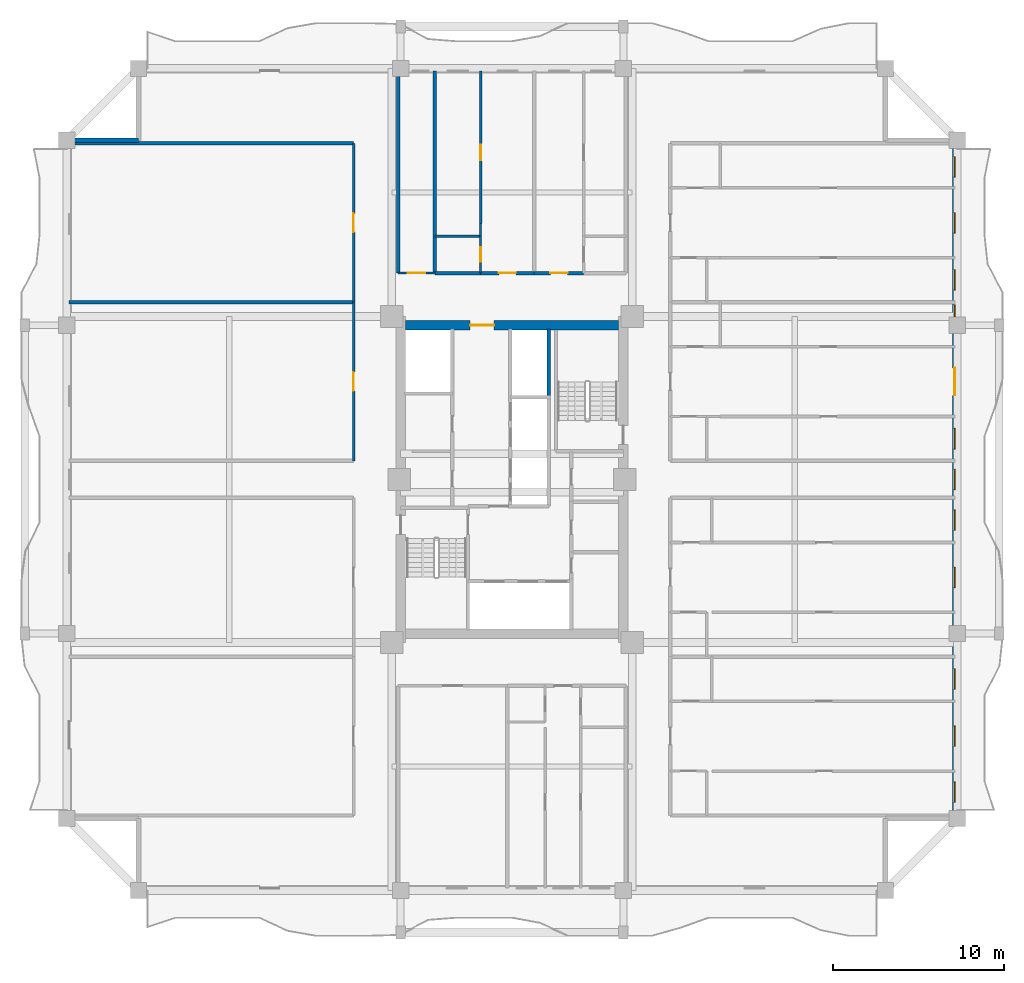
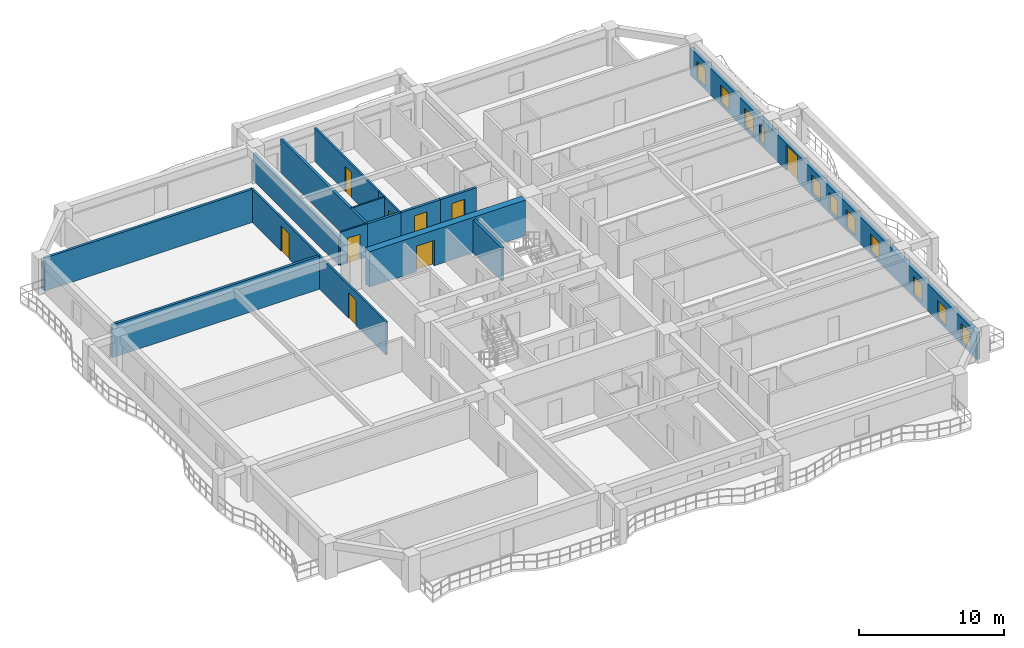
# One storey, part 5 of 12: 18 walls, 11 windows, 9 doors, 20 openings.
"""IFC4 building model written with IfcOpenShell, lengths in metres."""

from ifc_helpers import new_model, si_unit, direction, frame, frame_2d, origin, place, context, subcontext, project, spatial, rectangle, extrude, source, transform, mapped, material, layer, layer_set, type_object, element, fill, save


model = new_model("IFC4")

# Units and contexts
model_context = context("Model", 3, precision=1e-05, world=origin(), true_north=direction((0.0, 1.0)))
body_context = subcontext(model_context, "Body", "Model", "MODEL_VIEW")
ifc_project = project(units=[si_unit("LENGTHUNIT", "METRE"), si_unit("AREAUNIT", "SQUARE_METRE"), si_unit("VOLUMEUNIT", "CUBIC_METRE"), si_unit("PLANEANGLEUNIT", "RADIAN"), si_unit("MASSUNIT", "GRAM", prefix="KILO")], contexts=[model_context])

# Site, building, storey
site_placement = place(None, origin())
site = spatial("IfcSite", under=ifc_project, at=site_placement, CompositionType="ELEMENT")
building_placement = place(site_placement, origin())
building = spatial("IfcBuilding", under=site, at=building_placement, Name="Saelheon Loggia Tower", CompositionType="ELEMENT")
storey_placement = place(building_placement, frame((0.0, 0.0, 101.85009765625)))
storey = spatial("IfcBuildingStorey", under=building, at=storey_placement, Name="L32", CompositionType="ELEMENT", Elevation=101.85009765625)

# Wall, opening, door
ifc_material_1 = material(Name="Concrete C50/60", Category="concrete")
ifc_layer_1 = layer(ifc_material_1, 0.550048828125)
ifc_layer_set_1 = layer_set([ifc_layer_1], Name="Concrete C50/60")
wall_type_1 = type_object("IfcWallType", Name="Wall_CoreShear_550", PredefinedType="SHEAR", material=ifc_layer_set_1)
wall_1_placement = place(storey_placement, frame((31.77490234375, 36.0, 0.0), z_axis=(0.0, 0.0, 1.0), x_axis=(1.0, 0.0, 0.0)))
wall_1 = element("IfcWall", 1, at=wall_1_placement, inside=storey, type_object=wall_type_1, Name="L32 Core Shear Wall North", PredefinedType="SHEAR", context=body_context, shape_type="SweptSolid", body=[
    extrude(rectangle(XDim=12.4501953125, YDim=0.550048828125, at=frame_2d((6.22509765625, 0.0))), origin(), (0.0, 0.0, 1.0), 3.0),
])
opening_1_placement = place(wall_1_placement, frame((5.1748046875, 0.0, 0.0), z_axis=(0.0, 0.0, 1.0), x_axis=(-1.0, 0.0, 0.0)))
opening_1 = element("IfcOpeningElement", 2, at=opening_1_placement, cuts=wall_1, Name="Opening D-FD2L", PredefinedType="OPENING", context=body_context, shape_type="SweptSolid", body=[
    extrude(rectangle(XDim=1.39990234375, YDim=2.14990234375, at=frame_2d((0.699951171875, 1.074951171875))), frame((0.0, 0.287109375, 0.0), z_axis=(0.0, -1.0, 0.0), x_axis=(1.0, 0.0, 0.0)), (0.0, 0.0, 1.0), 0.573974609375),
])
ifc_material_2 = material(Name="Galvanised Steel Glazed Lobby Fire Door", Category="steel")
door_type_1 = type_object("IfcDoorType", Name="Door_Fire_FD60_1400", OperationType="NOTDEFINED", PredefinedType="DOOR", material=ifc_material_2)
shared_shape_1 = source(origin(), body_context, "Body", "SweptSolid", [
    extrude(rectangle(XDim=1.39990234375, YDim=2.14990234375, at=frame_2d((0.699951171875, 1.074951171875))), frame((0.0, 0.02490234375, 0.0), z_axis=(0.0, -1.0, 0.0), x_axis=(1.0, 0.0, 0.0)), (0.0, 0.0, 1.0), 0.050048828125),
])
door_1_placement = place(opening_1_placement, origin())
door_1 = element("IfcDoor", 3, at=door_1_placement, inside=storey, type_object=door_type_1, Name="L32 Passenger Lift Lobby Main Door", OperationType="SINGLE_SWING_RIGHT", OverallHeight=2.14990234375, OverallWidth=1.39990234375, PredefinedType="DOOR", context=body_context, shape_type="MappedRepresentation", body=[
    mapped(shared_shape_1, transform((0.0, 0.0, 0.0), scale=1.0)),
])
fill(opening_1, door_1)

# Wall, openings, windows, door
ifc_material_3 = material(Name="Architectural Precast Concrete C40/50", Category="concrete")
ifc_layer_2 = layer(ifc_material_3, 0.280029296875)
ifc_layer_set_2 = layer_set([ifc_layer_2], Name="Architectural Precast Concrete C40/50")
wall_type_2 = type_object("IfcWallType", Name="Wall_Ext_Loggia_280", PredefinedType="SOLIDWALL", material=ifc_layer_set_2)
wall_2_placement = place(storey_placement, frame((63.860107421875, 7.199951171875, 0.0), z_axis=(0.0, 0.0, 1.0), x_axis=(0.0, 1.0, 0.0)))
wall_2 = element("IfcWall", 4, at=wall_2_placement, inside=storey, type_object=wall_type_2, Name="L32 East Loggia Inner Wall", PredefinedType="SOLIDWALL", context=body_context, shape_type="SweptSolid", body=[
    extrude(rectangle(XDim=39.60009765625, YDim=0.280029296875, at=frame_2d((19.800048828125, 0.0))), origin(), (0.0, 0.0, 1.0), 2.27978515625),
])
opening_2_placement = place(wall_2_placement, frame((0.9453125, 0.0, 0.25)))
opening_2 = element("IfcOpeningElement", 5, at=opening_2_placement, cuts=wall_2, Name="Opening WN-03", PredefinedType="OPENING", context=body_context, shape_type="SweptSolid", body=[
    extrude(rectangle(XDim=1.199951171875, YDim=1.5, at=frame_2d((0.60009765625, 0.75))), frame((0.0, 0.152099609375, 0.0), z_axis=(0.0, -1.0, 0.0), x_axis=(1.0, 0.0, 0.0)), (0.0, 0.0, 1.0), 0.303955078125),
])
opening_3_placement = place(wall_2_placement, frame((4.212890625, 0.0, 0.25)))
opening_3 = element("IfcOpeningElement", 6, at=opening_3_placement, cuts=wall_2, Name="Opening WN-03", PredefinedType="OPENING", context=body_context, shape_type="SweptSolid", body=[
    extrude(rectangle(XDim=1.199951171875, YDim=1.5, at=frame_2d((0.60009765625, 0.75))), frame((0.0, 0.152099609375, 0.0), z_axis=(0.0, -1.0, 0.0), x_axis=(1.0, 0.0, 0.0)), (0.0, 0.0, 1.0), 0.303955078125),
])
opening_4_placement = place(wall_2_placement, frame((7.550048828125, 0.0, 0.25)))
opening_4 = element("IfcOpeningElement", 7, at=opening_4_placement, cuts=wall_2, Name="Opening WN-03", PredefinedType="OPENING", context=body_context, shape_type="SweptSolid", body=[
    extrude(rectangle(XDim=1.199951171875, YDim=1.5, at=frame_2d((0.60009765625, 0.75))), frame((0.0, 0.152099609375, 0.0), z_axis=(0.0, -1.0, 0.0), x_axis=(1.0, 0.0, 0.0)), (0.0, 0.0, 1.0), 0.303955078125),
])
opening_5_placement = place(wall_2_placement, frame((13.48291015625, 0.0, 0.25)))
opening_5 = element("IfcOpeningElement", 8, at=opening_5_placement, cuts=wall_2, Name="Opening WN-03", PredefinedType="OPENING", context=body_context, shape_type="SweptSolid", body=[
    extrude(rectangle(XDim=1.199951171875, YDim=1.5, at=frame_2d((0.60009765625, 0.75))), frame((0.0, 0.152099609375, 0.0), z_axis=(0.0, -1.0, 0.0), x_axis=(1.0, 0.0, 0.0)), (0.0, 0.0, 1.0), 0.303955078125),
])
opening_6_placement = place(wall_2_placement, frame((16.820068359375, 0.0, 0.25)))
opening_6 = element("IfcOpeningElement", 9, at=opening_6_placement, cuts=wall_2, Name="Opening WN-03", PredefinedType="OPENING", context=body_context, shape_type="SweptSolid", body=[
    extrude(rectangle(XDim=1.199951171875, YDim=1.5, at=frame_2d((0.60009765625, 0.75))), frame((0.0, 0.152099609375, 0.0), z_axis=(0.0, -1.0, 0.0), x_axis=(1.0, 0.0, 0.0)), (0.0, 0.0, 1.0), 0.303955078125),
])
opening_7_placement = place(wall_2_placement, frame((19.199951171875, 0.0, 0.25)))
opening_7 = element("IfcOpeningElement", 10, at=opening_7_placement, cuts=wall_2, Name="Opening WN-03", PredefinedType="OPENING", context=body_context, shape_type="SweptSolid", body=[
    extrude(rectangle(XDim=1.199951171875, YDim=1.5, at=frame_2d((0.60009765625, 0.75))), frame((0.0, 0.152099609375, 0.0), z_axis=(0.0, -1.0, 0.0), x_axis=(1.0, 0.0, 0.0)), (0.0, 0.0, 1.0), 0.303955078125),
])
opening_8_placement = place(wall_2_placement, frame((21.577880859375, 0.0, 0.25)))
opening_8 = element("IfcOpeningElement", 11, at=opening_8_placement, cuts=wall_2, Name="Opening WN-03", PredefinedType="OPENING", context=body_context, shape_type="SweptSolid", body=[
    extrude(rectangle(XDim=1.199951171875, YDim=1.5, at=frame_2d((0.60009765625, 0.75))), frame((0.0, 0.152099609375, 0.0), z_axis=(0.0, -1.0, 0.0), x_axis=(1.0, 0.0, 0.0)), (0.0, 0.0, 1.0), 0.303955078125),
])
opening_9_placement = place(wall_2_placement, frame((26.31298828125, 0.0, 0.0), z_axis=(0.0, 0.0, 1.0), x_axis=(-1.0, 0.0, 0.0)))
opening_9 = element("IfcOpeningElement", 12, at=opening_9_placement, cuts=wall_2, Name="Opening DLG-1", PredefinedType="OPENING", context=body_context, shape_type="SweptSolid", body=[
    extrude(rectangle(XDim=1.60009765625, YDim=2.14990234375, at=frame_2d((0.800048828125, 1.074951171875))), frame((0.0, 0.152099609375, 0.0), z_axis=(0.0, -1.0, 0.0), x_axis=(1.0, 0.0, 0.0)), (0.0, 0.0, 1.0), 0.303955078125),
])
opening_10_placement = place(wall_2_placement, frame((29.304931640625, 0.0, 0.25)))
opening_10 = element("IfcOpeningElement", 13, at=opening_10_placement, cuts=wall_2, Name="Opening WN-06", PredefinedType="OPENING", context=body_context, shape_type="SweptSolid", body=[
    extrude(rectangle(XDim=0.699951171875, YDim=1.5, at=frame_2d((0.35009765625, 0.75))), frame((0.0, 0.152099609375, 0.0), z_axis=(0.0, -1.0, 0.0), x_axis=(1.0, 0.0, 0.0)), (0.0, 0.0, 1.0), 0.303955078125),
])
opening_11_placement = place(wall_2_placement, frame((30.847900390625, 0.0, 0.25)))
opening_11 = element("IfcOpeningElement", 14, at=opening_11_placement, cuts=wall_2, Name="Opening WN-03", PredefinedType="OPENING", context=body_context, shape_type="SweptSolid", body=[
    extrude(rectangle(XDim=1.199951171875, YDim=1.5, at=frame_2d((0.60009765625, 0.75))), frame((0.0, 0.152099609375, 0.0), z_axis=(0.0, -1.0, 0.0), x_axis=(1.0, 0.0, 0.0)), (0.0, 0.0, 1.0), 0.303955078125),
])
opening_12_placement = place(wall_2_placement, frame((34.182861328125, 0.0, 0.25)))
opening_12 = element("IfcOpeningElement", 15, at=opening_12_placement, cuts=wall_2, Name="Opening WN-03", PredefinedType="OPENING", context=body_context, shape_type="SweptSolid", body=[
    extrude(rectangle(XDim=1.199951171875, YDim=1.5, at=frame_2d((0.60009765625, 0.75))), frame((0.0, 0.152099609375, 0.0), z_axis=(0.0, -1.0, 0.0), x_axis=(1.0, 0.0, 0.0)), (0.0, 0.0, 1.0), 0.303955078125),
])
opening_13_placement = place(wall_2_placement, frame((37.452392578125, 0.0, 0.25)))
opening_13 = element("IfcOpeningElement", 16, at=opening_13_placement, cuts=wall_2, Name="Opening WN-03", PredefinedType="OPENING", context=body_context, shape_type="SweptSolid", body=[
    extrude(rectangle(XDim=1.199951171875, YDim=1.5, at=frame_2d((0.60009765625, 0.75))), frame((0.0, 0.152099609375, 0.0), z_axis=(0.0, -1.0, 0.0), x_axis=(1.0, 0.0, 0.0)), (0.0, 0.0, 1.0), 0.303955078125),
])
ifc_material_4 = material(Name="Thermal-Break Aluminium and Triple Low-E Glass", Category="aluminium")
window_type_1 = type_object("IfcWindowType", Name="Win_Slot_700x1500", PartitioningType="SINGLE_PANEL", PredefinedType="WINDOW", material=ifc_material_4)
shared_shape_2 = source(origin(), body_context, "Body", "SweptSolid", [
    extrude(rectangle(XDim=0.699951171875, YDim=1.5, at=frame_2d((0.35009765625, 0.75))), frame((0.0, 0.030029296875, 0.0), z_axis=(0.0, -1.0, 0.0), x_axis=(1.0, 0.0, 0.0)), (0.0, 0.0, 1.0), 0.06005859375),
])
window_1_placement = place(opening_10_placement, origin())
window_1 = element("IfcWindow", 17, at=window_1_placement, inside=storey, type_object=window_type_1, Name="L32 E Dwelling Window 9", OverallHeight=1.5, OverallWidth=0.699951171875, PartitioningType="SINGLE_PANEL", PredefinedType="WINDOW", context=body_context, shape_type="MappedRepresentation", body=[
    mapped(shared_shape_2, transform((0.0, 0.0, 0.0), scale=1.0)),
])
fill(opening_10, window_1)
window_type_2 = type_object("IfcWindowType", Name="Win_Bedroom_1200x1500", PartitioningType="SINGLE_PANEL", PredefinedType="WINDOW", material=ifc_material_4)
shared_shape_3 = source(origin(), body_context, "Body", "SweptSolid", [
    extrude(rectangle(XDim=1.199951171875, YDim=1.5, at=frame_2d((0.60009765625, 0.75))), frame((0.0, 0.030029296875, 0.0), z_axis=(0.0, -1.0, 0.0), x_axis=(1.0, 0.0, 0.0)), (0.0, 0.0, 1.0), 0.06005859375),
])
window_2_placement = place(opening_2_placement, origin())
window_2 = element("IfcWindow", 18, at=window_2_placement, inside=storey, type_object=window_type_2, Name="L32 E Dwelling Window 1", OverallHeight=1.5, OverallWidth=1.199951171875, PartitioningType="SINGLE_PANEL", PredefinedType="WINDOW", context=body_context, shape_type="MappedRepresentation", body=[
    mapped(shared_shape_3, transform((0.0, 0.0, 0.0), scale=1.0)),
])
fill(opening_2, window_2)
window_3_placement = place(opening_3_placement, origin())
window_3 = element("IfcWindow", 19, at=window_3_placement, inside=storey, type_object=window_type_2, Name="L32 E Dwelling Window 2", OverallHeight=1.5, OverallWidth=1.199951171875, PartitioningType="SINGLE_PANEL", PredefinedType="WINDOW", context=body_context, shape_type="MappedRepresentation", body=[
    mapped(shared_shape_3, transform((0.0, 0.0, 0.0), scale=1.0)),
])
fill(opening_3, window_3)
window_4_placement = place(opening_4_placement, origin())
window_4 = element("IfcWindow", 20, at=window_4_placement, inside=storey, type_object=window_type_2, Name="L32 E Dwelling Window 3", OverallHeight=1.5, OverallWidth=1.199951171875, PartitioningType="SINGLE_PANEL", PredefinedType="WINDOW", context=body_context, shape_type="MappedRepresentation", body=[
    mapped(shared_shape_3, transform((0.0, 0.0, 0.0), scale=1.0)),
])
fill(opening_4, window_4)
window_5_placement = place(opening_5_placement, origin())
window_5 = element("IfcWindow", 21, at=window_5_placement, inside=storey, type_object=window_type_2, Name="L32 E Dwelling Window 4", OverallHeight=1.5, OverallWidth=1.199951171875, PartitioningType="SINGLE_PANEL", PredefinedType="WINDOW", context=body_context, shape_type="MappedRepresentation", body=[
    mapped(shared_shape_3, transform((0.0, 0.0, 0.0), scale=1.0)),
])
fill(opening_5, window_5)
window_6_placement = place(opening_6_placement, origin())
window_6 = element("IfcWindow", 22, at=window_6_placement, inside=storey, type_object=window_type_2, Name="L32 E Dwelling Window 5", OverallHeight=1.5, OverallWidth=1.199951171875, PartitioningType="SINGLE_PANEL", PredefinedType="WINDOW", context=body_context, shape_type="MappedRepresentation", body=[
    mapped(shared_shape_3, transform((0.0, 0.0, 0.0), scale=1.0)),
])
fill(opening_6, window_6)
window_7_placement = place(opening_7_placement, origin())
window_7 = element("IfcWindow", 23, at=window_7_placement, inside=storey, type_object=window_type_2, Name="L32 E Dwelling Window 6", OverallHeight=1.5, OverallWidth=1.199951171875, PartitioningType="SINGLE_PANEL", PredefinedType="WINDOW", context=body_context, shape_type="MappedRepresentation", body=[
    mapped(shared_shape_3, transform((0.0, 0.0, 0.0), scale=1.0)),
])
fill(opening_7, window_7)
window_8_placement = place(opening_8_placement, origin())
window_8 = element("IfcWindow", 24, at=window_8_placement, inside=storey, type_object=window_type_2, Name="L32 E Dwelling Window 7", OverallHeight=1.5, OverallWidth=1.199951171875, PartitioningType="SINGLE_PANEL", PredefinedType="WINDOW", context=body_context, shape_type="MappedRepresentation", body=[
    mapped(shared_shape_3, transform((0.0, 0.0, 0.0), scale=1.0)),
])
fill(opening_8, window_8)
window_9_placement = place(opening_11_placement, origin())
window_9 = element("IfcWindow", 25, at=window_9_placement, inside=storey, type_object=window_type_2, Name="L32 E Dwelling Window 10", OverallHeight=1.5, OverallWidth=1.199951171875, PartitioningType="SINGLE_PANEL", PredefinedType="WINDOW", context=body_context, shape_type="MappedRepresentation", body=[
    mapped(shared_shape_3, transform((0.0, 0.0, 0.0), scale=1.0)),
])
fill(opening_11, window_9)
window_10_placement = place(opening_12_placement, origin())
window_10 = element("IfcWindow", 26, at=window_10_placement, inside=storey, type_object=window_type_2, Name="L32 E Dwelling Window 11", OverallHeight=1.5, OverallWidth=1.199951171875, PartitioningType="SINGLE_PANEL", PredefinedType="WINDOW", context=body_context, shape_type="MappedRepresentation", body=[
    mapped(shared_shape_3, transform((0.0, 0.0, 0.0), scale=1.0)),
])
fill(opening_12, window_10)
window_11_placement = place(opening_13_placement, origin())
window_11 = element("IfcWindow", 27, at=window_11_placement, inside=storey, type_object=window_type_2, Name="L32 E Dwelling Window 12", OverallHeight=1.5, OverallWidth=1.199951171875, PartitioningType="SINGLE_PANEL", PredefinedType="WINDOW", context=body_context, shape_type="MappedRepresentation", body=[
    mapped(shared_shape_3, transform((0.0, 0.0, 0.0), scale=1.0)),
])
fill(opening_13, window_11)
ifc_material_5 = material(Name="Thermal-Break Aluminium Sliding Glazed Door", Category="aluminium")
door_type_2 = type_object("IfcDoorType", Name="Door_LoggiaSlide_1600", OperationType="SLIDING_TO_LEFT", PredefinedType="DOOR", material=ifc_material_5)
shared_shape_4 = source(origin(), body_context, "Body", "SweptSolid", [
    extrude(rectangle(XDim=1.60009765625, YDim=2.14990234375, at=frame_2d((0.800048828125, 1.074951171875))), frame((0.0, 0.02490234375, 0.0), z_axis=(0.0, -1.0, 0.0), x_axis=(1.0, 0.0, 0.0)), (0.0, 0.0, 1.0), 0.050048828125),
])
door_2_placement = place(opening_9_placement, origin())
door_2 = element("IfcDoor", 28, at=door_2_placement, inside=storey, type_object=door_type_2, Name="L32 E Loggia Access Door", OperationType="SLIDING_TO_LEFT", OverallHeight=2.14990234375, OverallWidth=1.60009765625, PredefinedType="DOOR", context=body_context, shape_type="MappedRepresentation", body=[
    mapped(shared_shape_4, transform((0.0, 0.0, 0.0), scale=1.0)),
])
fill(opening_9, door_2)

# Wall
wall_3_placement = place(storey_placement, frame((12.080078125, 46.800048828125, 0.0), z_axis=(0.0, 0.0, 1.0), x_axis=(1.0, 0.0, 0.0)))
element("IfcWall", 29, at=wall_3_placement, inside=storey, type_object=wall_type_2, Name="L32 Corner Notch Precast Wall NW2", PredefinedType="SOLIDWALL", context=body_context, shape_type="SweptSolid", body=[
    extrude(rectangle(XDim=4.119873046875, YDim=0.280029296875, at=frame_2d((2.06005859375, 0.0))), origin(), (0.0, 0.0, 1.0), 2.27978515625),
])

# Wall, opening, door
ifc_material_6 = material(Name="Lightweight Autoclaved Aerated Concrete Block and Acoustic Gypsum", Category="concrete")
ifc_layer_3 = layer(ifc_material_6, 0.14990234375)
ifc_layer_set_3 = layer_set([ifc_layer_3], Name="Lightweight Autoclaved Aerated Concrete Block and Acoustic Gypsum")
wall_type_3 = type_object("IfcWallType", Name="Wall_Part_150", PredefinedType="PARTITIONING", material=ifc_layer_set_3)
wall_4_placement = place(storey_placement, frame((36.1669921875, 41.949951171875, 0.0), z_axis=(0.0, 0.0, 1.0), x_axis=(0.0, 1.0, 0.0)))
wall_4 = element("IfcWall", 30, at=wall_4_placement, inside=storey, type_object=wall_type_3, Name="L32 N Partition U10", PredefinedType="PARTITIONING", context=body_context, shape_type="SweptSolid", body=[
    extrude(rectangle(XDim=8.900146484375, YDim=0.14990234375, at=frame_2d((4.4501953125, 0.0))), origin(), (0.0, 0.0, 1.0), 2.789794921875),
])
opening_14_placement = place(wall_4_placement, frame((3.686767578125, 0.0, 0.0)))
opening_14 = element("IfcOpeningElement", 31, at=opening_14_placement, cuts=wall_4, Name="Opening D-IN2", PredefinedType="OPENING", context=body_context, shape_type="SweptSolid", body=[
    extrude(rectangle(XDim=0.89990234375, YDim=2.10009765625, at=frame_2d((0.449951171875, 1.050048828125))), frame((0.0, 0.0869140625, 0.0), z_axis=(0.0, -1.0, 0.0), x_axis=(1.0, 0.0, 0.0)), (0.0, 0.0, 1.0), 0.173828125),
])
ifc_material_7 = material(Name="Engineered Oak Flush Door", Category="timber")
door_type_3 = type_object("IfcDoorType", Name="Door_Int_900", OperationType="NOTDEFINED", PredefinedType="DOOR", material=ifc_material_7)
shared_shape_5 = source(origin(), body_context, "Body", "SweptSolid", [
    extrude(rectangle(XDim=0.89990234375, YDim=2.10009765625, at=frame_2d((0.449951171875, 1.050048828125))), frame((0.0, 0.02490234375, 0.0), z_axis=(0.0, -1.0, 0.0), x_axis=(1.0, 0.0, 0.0)), (0.0, 0.0, 1.0), 0.050048828125),
])
door_3_placement = place(opening_14_placement, origin())
door_3 = element("IfcDoor", 32, at=door_3_placement, inside=storey, type_object=door_type_3, Name="Unit U02 Kitchen Door", OperationType="SINGLE_SWING_RIGHT", OverallHeight=2.10009765625, OverallWidth=0.89990234375, PredefinedType="DOOR", context=body_context, shape_type="MappedRepresentation", body=[
    mapped(shared_shape_5, transform((0.0, 0.0, 0.0), scale=1.0)),
])
fill(opening_14, door_3)

wall_5_placement = place(storey_placement, frame((28.75, 28.080078125, 0.0), z_axis=(0.0, 0.0, 1.0), x_axis=(0.0, 1.0, 0.0)))
wall_5 = element("IfcWall", 33, at=wall_5_placement, inside=storey, type_object=wall_type_3, Name="L32 WN Partition V03", PredefinedType="PARTITIONING", context=body_context, shape_type="SweptSolid", body=[
    extrude(rectangle(XDim=9.27001953125, YDim=0.14990234375, at=frame_2d((4.635009765625, 0.0))), origin(), (0.0, 0.0, 1.0), 2.789794921875),
])
opening_15_placement = place(wall_5_placement, frame((4.0849609375, 0.0, 0.0)))
opening_15 = element("IfcOpeningElement", 34, at=opening_15_placement, cuts=wall_5, Name="Opening D-FD2", PredefinedType="OPENING", context=body_context, shape_type="SweptSolid", body=[
    extrude(rectangle(XDim=1.10009765625, YDim=2.14990234375, at=frame_2d((0.550048828125, 1.074951171875))), frame((0.0, 0.0869140625, 0.0), z_axis=(0.0, -1.0, 0.0), x_axis=(1.0, 0.0, 0.0)), (0.0, 0.0, 1.0), 0.173828125),
])
ifc_material_8 = material(Name="Galvanised Steel Fire Door", Category="steel")
door_type_4 = type_object("IfcDoorType", Name="Door_Fire_FD60_1100", OperationType="NOTDEFINED", PredefinedType="DOOR", material=ifc_material_8)
shared_shape_6 = source(origin(), body_context, "Body", "SweptSolid", [
    extrude(rectangle(XDim=1.10009765625, YDim=2.14990234375, at=frame_2d((0.550048828125, 1.074951171875))), frame((0.0, 0.02490234375, 0.0), z_axis=(0.0, -1.0, 0.0), x_axis=(1.0, 0.0, 0.0)), (0.0, 0.0, 1.0), 0.050048828125),
])
door_4_placement = place(opening_15_placement, origin())
door_4 = element("IfcDoor", 35, at=door_4_placement, inside=storey, type_object=door_type_4, Name="L32 Resident Seminar and Study Hall Door A", OperationType="SINGLE_SWING_RIGHT", OverallHeight=2.14990234375, OverallWidth=1.10009765625, PredefinedType="DOOR", context=body_context, shape_type="MappedRepresentation", body=[
    mapped(shared_shape_6, transform((0.0, 0.0, 0.0), scale=1.0)),
])
fill(opening_15, door_4)

wall_6_placement = place(storey_placement, frame((28.75, 37.35009765625, 0.0), z_axis=(0.0, 0.0, 1.0), x_axis=(0.0, 1.0, 0.0)))
wall_6 = element("IfcWall", 36, at=wall_6_placement, inside=storey, type_object=wall_type_3, Name="L32 WN Partition V05", PredefinedType="PARTITIONING", context=body_context, shape_type="SweptSolid", body=[
    extrude(rectangle(XDim=9.27001953125, YDim=0.14990234375, at=frame_2d((4.635009765625, 0.0))), origin(), (0.0, 0.0, 1.0), 2.789794921875),
])
opening_16_placement = place(wall_6_placement, frame((4.0849609375, 0.0, 0.0)))
opening_16 = element("IfcOpeningElement", 37, at=opening_16_placement, cuts=wall_6, Name="Opening D-FD2", PredefinedType="OPENING", context=body_context, shape_type="SweptSolid", body=[
    extrude(rectangle(XDim=1.10009765625, YDim=2.14990234375, at=frame_2d((0.550048828125, 1.074951171875))), frame((0.0, 0.0869140625, 0.0), z_axis=(0.0, -1.0, 0.0), x_axis=(1.0, 0.0, 0.0)), (0.0, 0.0, 1.0), 0.173828125),
])
door_5_placement = place(opening_16_placement, origin())
door_5 = element("IfcDoor", 38, at=door_5_placement, inside=storey, type_object=door_type_4, Name="L32 Resident Seminar and Study Hall Door A", OperationType="SINGLE_SWING_LEFT", OverallHeight=2.14990234375, OverallWidth=1.10009765625, PredefinedType="DOOR", context=body_context, shape_type="MappedRepresentation", body=[
    mapped(shared_shape_6, transform((0.0, 0.0, 0.0), scale=1.0)),
])
fill(opening_16, door_5)

# Walls
ifc_material_9 = material(Name="Double Acoustic Stud and Fireboard Partition", Category="gypsum")
ifc_layer_4 = layer(ifc_material_9, 0.199951171875)
ifc_layer_set_4 = layer_set([ifc_layer_4], Name="Double Acoustic Stud and Fireboard Partition")
wall_type_4 = type_object("IfcWallType", Name="Wall_Party_200", PredefinedType="PARTITIONING", material=ifc_layer_set_4)
wall_7_placement = place(storey_placement, frame((31.35009765625, 39.050048828125, 0.0), z_axis=(0.0, 0.0, 1.0), x_axis=(0.0, 1.0, 0.0)))
element("IfcWall", 39, at=wall_7_placement, inside=storey, type_object=wall_type_4, Name="L32 N Partition U01", PredefinedType="PARTITIONING", context=body_context, shape_type="SweptSolid", body=[
    extrude(rectangle(XDim=11.800048828125, YDim=0.199951171875, at=frame_2d((5.89990234375, 0.0))), origin(), (0.0, 0.0, 1.0), 2.33984375),
])
wall_8_placement = place(storey_placement, frame((33.5, 39.050048828125, 0.0), z_axis=(0.0, 0.0, 1.0), x_axis=(0.0, 1.0, 0.0)))
element("IfcWall", 40, at=wall_8_placement, inside=storey, type_object=wall_type_4, Name="L32 N Partition U03", PredefinedType="PARTITIONING", context=body_context, shape_type="SweptSolid", body=[
    extrude(rectangle(XDim=11.800048828125, YDim=0.199951171875, at=frame_2d((5.89990234375, 0.0))), origin(), (0.0, 0.0, 1.0), 2.789794921875),
])
wall_9_placement = place(storey_placement, frame((33.5, 39.050048828125, 0.0), z_axis=(0.0, 0.0, 1.0), x_axis=(1.0, 0.0, 0.0)))
element("IfcWall", 41, at=wall_9_placement, inside=storey, type_object=wall_type_4, Name="L32 N Partition V05", PredefinedType="PARTITIONING", context=body_context, shape_type="SweptSolid", body=[
    extrude(rectangle(XDim=2.6669921875, YDim=0.199951171875, at=frame_2d((1.33349609375, 0.0))), origin(), (0.0, 0.0, 1.0), 2.789794921875),
])

# Wall, opening, door
wall_10_placement = place(storey_placement, frame((36.1669921875, 39.050048828125, 0.0), z_axis=(0.0, 0.0, 1.0), x_axis=(1.0, 0.0, 0.0)))
wall_10 = element("IfcWall", 42, at=wall_10_placement, inside=storey, type_object=wall_type_4, Name="L32 N Partition V06", PredefinedType="PARTITIONING", context=body_context, shape_type="SweptSolid", body=[
    extrude(rectangle(XDim=3.131103515625, YDim=0.199951171875, at=frame_2d((1.5654296875, 0.0))), origin(), (0.0, 0.0, 1.0), 2.789794921875),
])
opening_17_placement = place(wall_10_placement, frame((1.0654296875, 0.0, 0.0)))
opening_17 = element("IfcOpeningElement", 43, at=opening_17_placement, cuts=wall_10, Name="Opening D-FD1", PredefinedType="OPENING", context=body_context, shape_type="SweptSolid", body=[
    extrude(rectangle(XDim=1.0, YDim=2.14990234375, at=frame_2d((0.5, 1.074951171875))), frame((0.0, 0.112060546875, 0.0), z_axis=(0.0, -1.0, 0.0), x_axis=(1.0, 0.0, 0.0)), (0.0, 0.0, 1.0), 0.223876953125),
])
ifc_material_10 = material(Name="Fire-Rated Engineered Timber Entrance Door", Category="wood")
door_type_5 = type_object("IfcDoorType", Name="Door_Flat_FD30S", OperationType="NOTDEFINED", PredefinedType="DOOR", material=ifc_material_10)
shared_shape_7 = source(origin(), body_context, "Body", "SweptSolid", [
    extrude(rectangle(XDim=1.0, YDim=2.14990234375, at=frame_2d((0.5, 1.074951171875))), frame((0.0, 0.02490234375, 0.0), z_axis=(0.0, -1.0, 0.0), x_axis=(1.0, 0.0, 0.0)), (0.0, 0.0, 1.0), 0.050048828125),
])
door_6_placement = place(opening_17_placement, origin())
door_6 = element("IfcDoor", 44, at=door_6_placement, inside=storey, type_object=door_type_5, Name="Unit U02 Entrance Door", OperationType="SINGLE_SWING_RIGHT", OverallHeight=2.14990234375, OverallWidth=1.0, PredefinedType="DOOR", context=body_context, shape_type="MappedRepresentation", body=[
    mapped(shared_shape_7, transform((0.0, 0.0, 0.0), scale=1.0)),
])
fill(opening_17, door_6)

wall_11_placement = place(storey_placement, frame((39.298095703125, 39.050048828125, 0.0), z_axis=(0.0, 0.0, 1.0), x_axis=(1.0, 0.0, 0.0)))
wall_11 = element("IfcWall", 45, at=wall_11_placement, inside=storey, type_object=wall_type_4, Name="L32 N Partition V12", PredefinedType="PARTITIONING", context=body_context, shape_type="SweptSolid", body=[
    extrude(rectangle(XDim=2.889892578125, YDim=0.199951171875, at=frame_2d((1.44482421875, 0.0))), origin(), (0.0, 0.0, 1.0), 2.789794921875),
])
opening_18_placement = place(wall_11_placement, frame((0.945068359375, 0.0, 0.0)))
opening_18 = element("IfcOpeningElement", 46, at=opening_18_placement, cuts=wall_11, Name="Opening D-FD1", PredefinedType="OPENING", context=body_context, shape_type="SweptSolid", body=[
    extrude(rectangle(XDim=1.0, YDim=2.14990234375, at=frame_2d((0.5, 1.074951171875))), frame((0.0, 0.112060546875, 0.0), z_axis=(0.0, -1.0, 0.0), x_axis=(1.0, 0.0, 0.0)), (0.0, 0.0, 1.0), 0.223876953125),
])
door_7_placement = place(opening_18_placement, origin())
door_7 = element("IfcDoor", 47, at=door_7_placement, inside=storey, type_object=door_type_5, Name="Unit U03 Entrance Door", OperationType="SINGLE_SWING_LEFT", OverallHeight=2.14990234375, OverallWidth=1.0, PredefinedType="DOOR", context=body_context, shape_type="MappedRepresentation", body=[
    mapped(shared_shape_7, transform((0.0, 0.0, 0.0), scale=1.0)),
])
fill(opening_18, door_7)

# Walls
for number, where, z_axis, x_axis, name in (
    (48, (28.75, 46.6201171875, 0.0), (0.0, 0.0, 1.0), (-1.0, 0.0, 0.0), "L32 WN Partition U02"),
    (49, (28.75, 37.35009765625, 0.0), (0.0, 0.0, 1.0), (-1.0, 0.0, 0.0), "L32 WN Partition U04"),
):
    element("IfcWall", number, at=place(storey_placement, frame(where, z_axis=z_axis, x_axis=x_axis)), inside=storey, type_object=wall_type_4, Name=name, PredefinedType="PARTITIONING", context=body_context, shape_type="SweptSolid", body=[
        extrude(rectangle(XDim=16.60009765625, YDim=0.199951171875, at=frame_2d((8.300048828125, 0.0))), origin(), (0.0, 0.0, 1.0), 2.789794921875),
    ])
ifc_material_11 = material(Name="Concrete C40/50", Category="concrete")
ifc_layer_5 = layer(ifc_material_11, 0.199951171875)
ifc_layer_set_5 = layer_set([ifc_layer_5], Name="Concrete C40/50")
wall_type_5 = type_object("IfcWallType", Name="Wall_Shaft_200", PredefinedType="PARTITIONING", material=ifc_layer_set_5)
wall_12_placement = place(storey_placement, frame((40.14990234375, 31.800048828125, 0.0), z_axis=(0.0, 0.0, 1.0), x_axis=(0.0, 1.0, 0.0)))
element("IfcWall", 50, at=wall_12_placement, inside=storey, type_object=wall_type_5, Name="L32 East High-Rise Hoistway East Wall", PredefinedType="PARTITIONING", context=body_context, shape_type="SweptSolid", body=[
    extrude(rectangle(XDim=3.97998046875, YDim=0.199951171875, at=frame_2d((1.989990234375, 0.0))), origin(), (0.0, 0.0, 1.0), 2.789794921875),
])

# Wall, opening, door
ifc_material_12 = material(Name="Moisture-Resistant Cement Board Partition", Category="gypsum")
ifc_layer_6 = layer(ifc_material_12, 0.1201171875)
ifc_layer_set_6 = layer_set([ifc_layer_6], Name="Moisture-Resistant Cement Board Partition")
wall_type_6 = type_object("IfcWallType", Name="Wall_WetPart_120", PredefinedType="PARTITIONING", material=ifc_layer_set_6)
wall_13_placement = place(storey_placement, frame((31.35009765625, 39.050048828125, 0.0), z_axis=(0.0, 0.0, 1.0), x_axis=(1.0, 0.0, 0.0)))
wall_13 = element("IfcWall", 51, at=wall_13_placement, inside=storey, type_object=wall_type_6, Name="L32 N Partition V04", PredefinedType="PARTITIONING", context=body_context, shape_type="SweptSolid", body=[
    extrude(rectangle(XDim=2.14990234375, YDim=0.1201171875, at=frame_2d((1.074951171875, 0.0))), origin(), (0.0, 0.0, 1.0), 2.789794921875),
])
opening_19_placement = place(wall_13_placement, frame((0.574951171875, 0.0, 0.0)))
opening_19 = element("IfcOpeningElement", 52, at=opening_19_placement, cuts=wall_13, Name="Opening D-AC1", PredefinedType="OPENING", context=body_context, shape_type="SweptSolid", body=[
    extrude(rectangle(XDim=1.0, YDim=2.10009765625, at=frame_2d((0.5, 1.050048828125))), frame((0.0, 0.072021484375, 0.0), z_axis=(0.0, -1.0, 0.0), x_axis=(1.0, 0.0, 0.0)), (0.0, 0.0, 1.0), 0.14404296875),
])
ifc_material_13 = material(Name="Accessible Laminate Flush Door", Category="timber")
door_type_6 = type_object("IfcDoorType", Name="Door_Acc_1000", OperationType="NOTDEFINED", PredefinedType="DOOR", material=ifc_material_13)
shared_shape_8 = source(origin(), body_context, "Body", "SweptSolid", [
    extrude(rectangle(XDim=1.0, YDim=2.10009765625, at=frame_2d((0.5, 1.050048828125))), frame((0.0, 0.02490234375, 0.0), z_axis=(0.0, -1.0, 0.0), x_axis=(1.0, 0.0, 0.0)), (0.0, 0.0, 1.0), 0.050048828125),
])
door_8_placement = place(opening_19_placement, origin())
door_8 = element("IfcDoor", 53, at=door_8_placement, inside=storey, type_object=door_type_6, Name="L32 Floor Accessible WC Door", OperationType="SINGLE_SWING_LEFT", OverallHeight=2.10009765625, OverallWidth=1.0, PredefinedType="DOOR", context=body_context, shape_type="MappedRepresentation", body=[
    mapped(shared_shape_8, transform((0.0, 0.0, 0.0), scale=1.0)),
])
fill(opening_19, door_8)

wall_14_placement = place(storey_placement, frame((36.1669921875, 39.050048828125, 0.0), z_axis=(0.0, 0.0, 1.0), x_axis=(0.0, 1.0, 0.0)))
wall_14 = element("IfcWall", 54, at=wall_14_placement, inside=storey, type_object=wall_type_6, Name="L32 N Partition U07", PredefinedType="PARTITIONING", context=body_context, shape_type="SweptSolid", body=[
    extrude(rectangle(XDim=2.14990234375, YDim=0.1201171875, at=frame_2d((1.074951171875, 0.0))), origin(), (0.0, 0.0, 1.0), 2.789794921875),
])
opening_20_placement = place(wall_14_placement, frame((0.64990234375, 0.0, 0.0)))
opening_20 = element("IfcOpeningElement", 55, at=opening_20_placement, cuts=wall_14, Name="Opening D-BT1", PredefinedType="OPENING", context=body_context, shape_type="SweptSolid", body=[
    extrude(rectangle(XDim=0.85009765625, YDim=2.050048828125, at=frame_2d((0.425048828125, 1.02490234375))), frame((0.0, 0.072021484375, 0.0), z_axis=(0.0, -1.0, 0.0), x_axis=(1.0, 0.0, 0.0)), (0.0, 0.0, 1.0), 0.14404296875),
])
ifc_material_14 = material(Name="Moisture-Resistant Laminate Timber Door", Category="wood")
door_type_7 = type_object("IfcDoorType", Name="Door_Bath_850", OperationType="NOTDEFINED", PredefinedType="DOOR", material=ifc_material_14)
shared_shape_9 = source(origin(), body_context, "Body", "SweptSolid", [
    extrude(rectangle(XDim=0.85009765625, YDim=2.050048828125, at=frame_2d((0.425048828125, 1.02490234375))), frame((0.0, 0.02490234375, 0.0), z_axis=(0.0, -1.0, 0.0), x_axis=(1.0, 0.0, 0.0)), (0.0, 0.0, 1.0), 0.050048828125),
])
door_9_placement = place(opening_20_placement, origin())
door_9 = element("IfcDoor", 56, at=door_9_placement, inside=storey, type_object=door_type_7, Name="Unit U02 Bathroom Door", OperationType="SINGLE_SWING_LEFT", OverallHeight=2.050048828125, OverallWidth=0.85009765625, PredefinedType="DOOR", context=body_context, shape_type="MappedRepresentation", body=[
    mapped(shared_shape_9, transform((0.0, 0.0, 0.0), scale=1.0)),
])
fill(opening_20, door_9)

# Walls
wall_15_placement = place(storey_placement, frame((36.1669921875, 41.199951171875, 0.0), z_axis=(0.0, 0.0, 1.0), x_axis=(0.0, 1.0, 0.0)))
element("IfcWall", 57, at=wall_15_placement, inside=storey, type_object=wall_type_6, Name="L32 N Partition U08", PredefinedType="PARTITIONING", context=body_context, shape_type="SweptSolid", body=[
    extrude(rectangle(XDim=0.75, YDim=0.1201171875, at=frame_2d((0.375, 0.0))), origin(), (0.0, 0.0, 1.0), 2.789794921875),
])
wall_16_placement = place(storey_placement, frame((33.5, 41.199951171875, 0.0), z_axis=(0.0, 0.0, 1.0), x_axis=(1.0, 0.0, 0.0)))
element("IfcWall", 58, at=wall_16_placement, inside=storey, type_object=wall_type_6, Name="L32 N Partition V09", PredefinedType="PARTITIONING", context=body_context, shape_type="SweptSolid", body=[
    extrude(rectangle(XDim=2.6669921875, YDim=0.1201171875, at=frame_2d((1.33349609375, 0.0))), origin(), (0.0, 0.0, 1.0), 2.789794921875),
])

save(model, "model.ifc")
